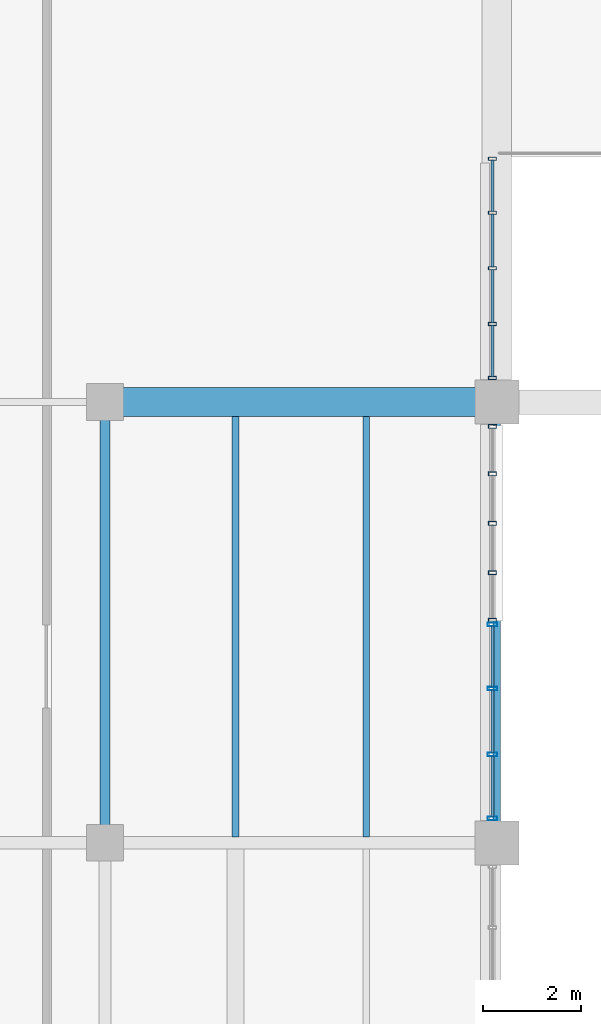
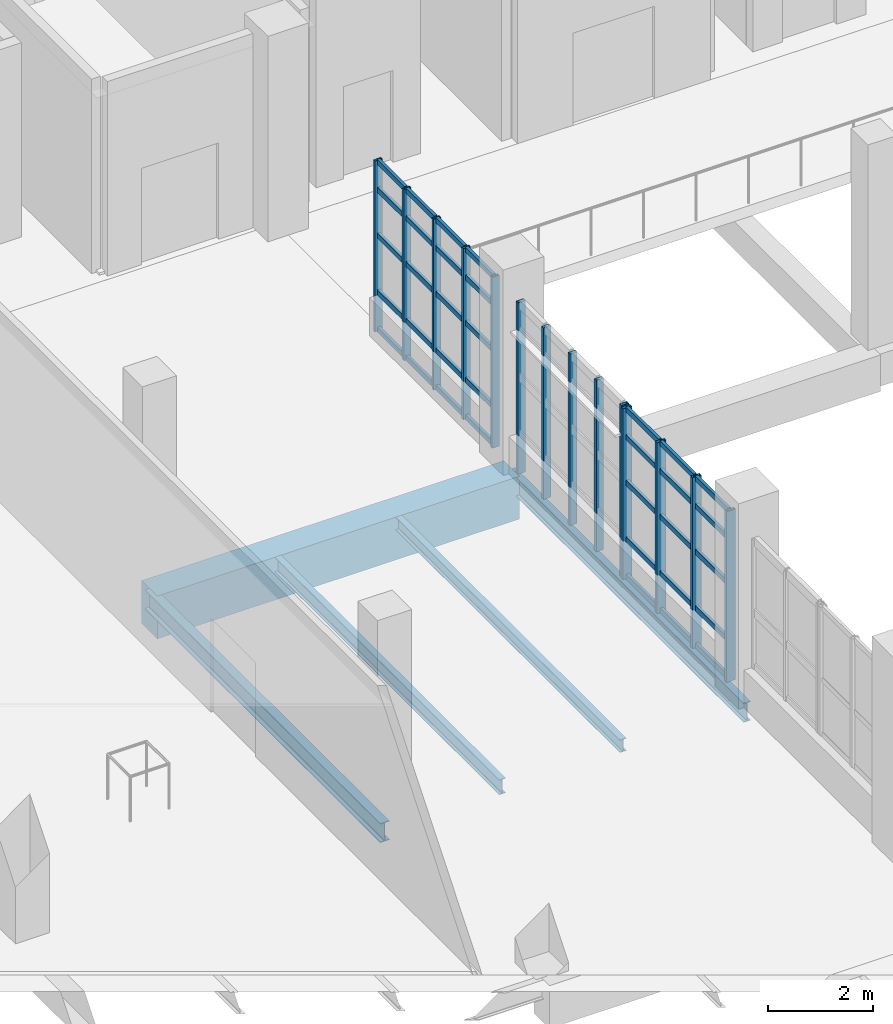
# One storey, part 25 of 102: 49 members, 5 beams, 3 elements without a shape of their own.
"""IFC4 building model written with IfcOpenShell, lengths in metres."""

from ifc_helpers import new_model, si_unit, derived_unit, direction, frame, origin, origin_2d, place, context, subcontext, project, spatial, rectangle, hollow_rectangle, i_section, extrude, material, layer, layer_set, material_profile, profile_set, type_object, element, aggregate, save


model = new_model("IFC4")

# Units and contexts
model_context = context("Model", 3, precision=1e-05, world=origin(), true_north=direction((0.0, 1.0)))
body_context = subcontext(model_context, "Body", "Model", "MODEL_VIEW")
ifc_project = project(units=[si_unit("LENGTHUNIT", "METRE"), si_unit("AREAUNIT", "SQUARE_METRE"), si_unit("VOLUMEUNIT", "CUBIC_METRE"), si_unit("PLANEANGLEUNIT", "RADIAN"), si_unit("MASSUNIT", "GRAM", prefix="KILO"), derived_unit("THERMALTRANSMITTANCEUNIT", [(si_unit("POWERUNIT", "WATT"), 1), (si_unit("LENGTHUNIT", "METRE"), -2), (si_unit("THERMODYNAMICTEMPERATUREUNIT", "KELVIN"), -1)])], contexts=[model_context])

# Site, building, storey
site_placement = place(None, origin())
site = spatial("IfcSite", under=ifc_project, at=site_placement, CompositionType="ELEMENT")
building_placement = place(site_placement, origin())
building = spatial("IfcBuilding", under=site, at=building_placement, Name="Nallur Shell Playhouse", CompositionType="ELEMENT")
storey_placement = place(building_placement, frame((0.0, 0.0, 15.0)))
storey = spatial("IfcBuildingStorey", under=building, at=storey_placement, Name="L04", CompositionType="ELEMENT", Elevation=15.0)

# Beams
ifc_material_1 = material(Name="Steel E250", Category="steel")
ifc_material_profile_1 = material_profile(ifc_material_1, i_section(OverallWidth=0.139892578125, OverallDepth=0.300048828125, WebThickness=0.0078125, FlangeThickness=0.01318359375, FilletRadius=0.013916015625, at=origin_2d()), Name="ISMB 300")
ifc_profile_set_1 = profile_set([ifc_material_profile_1], Name="Steel E250")
beam_type_1 = type_object("IfcBeamType", Name="BM-JST-ISMB300", PredefinedType="JOIST", material=ifc_profile_set_1)
beam_1_placement = place(storey_placement, frame((37.333251953125, 56.123046875, -0.409912109375), z_axis=(0.0, 1.0, 0.0), x_axis=(-1.0, 0.0, 0.0)))
element("IfcBeam", 1, at=beam_1_placement, inside=storey, type_object=beam_type_1, Name="L04 secondary joist 4-G-897", PredefinedType="JOIST", context=body_context, shape_type="SweptSolid", body=[
    extrude(i_section(OverallWidth=0.139892578125, OverallDepth=0.300048828125, WebThickness=0.0078125, FlangeThickness=0.01318359375, FilletRadius=0.013916015625, at=origin_2d()), origin(), (0.0, 0.0, 1.0), 8.578857421875),
])
ifc_material_profile_2 = material_profile(ifc_material_1, i_section(OverallWidth=0.139892578125, OverallDepth=0.35009765625, WebThickness=0.008056640625, FlangeThickness=0.01416015625, FilletRadius=0.013916015625, at=origin_2d()), Name="ISMB 350")
ifc_profile_set_2 = profile_set([ifc_material_profile_2], Name="Steel E250")
beam_type_2 = type_object("IfcBeamType", Name="BM-JST-ISMB350", PredefinedType="JOIST", material=ifc_profile_set_2)
beam_2_placement = place(storey_placement, frame((34.666748046875, 56.123046875, -0.43505859375), z_axis=(0.0, 1.0, 0.0), x_axis=(-1.0, 0.0, 0.0)))
element("IfcBeam", 2, at=beam_2_placement, inside=storey, type_object=beam_type_2, Name="L04 secondary joist 4-G-896", PredefinedType="JOIST", context=body_context, shape_type="SweptSolid", body=[
    extrude(i_section(OverallWidth=0.139892578125, OverallDepth=0.35009765625, WebThickness=0.008056640625, FlangeThickness=0.01416015625, FilletRadius=0.013916015625, at=origin_2d()), origin(), (0.0, 0.0, 1.0), 8.578857421875),
])
ifc_material_2 = material(Name="Concrete M40", Category="concrete")
ifc_material_profile_3 = material_profile(ifc_material_2, rectangle(XDim=0.60009765625, YDim=1.0, at=origin_2d()), Name="RC 600x1000")
ifc_profile_set_3 = profile_set([ifc_material_profile_3], Name="Concrete M40")
beam_type_3 = type_object("IfcBeamType", Name="BM-RC-600x1000", PredefinedType="BEAM", material=ifc_profile_set_3)
beam_3_placement = place(storey_placement, frame((32.0, 65.0, -0.760009765625), z_axis=(1.0, 0.0, 0.0), x_axis=(0.0, 1.0, 0.0)))
element("IfcBeam", 3, at=beam_3_placement, inside=storey, type_object=beam_type_3, Name="L04 girder X-H-796", PredefinedType="BEAM", context=body_context, shape_type="SweptSolid", body=[
    extrude(rectangle(XDim=0.60009765625, YDim=1.0, at=origin_2d()), origin(), (0.0, 0.0, 1.0), 8.0),
])
ifc_material_3 = material(Name="Steel E350", Category="steel")
ifc_material_profile_4 = material_profile(ifc_material_3, i_section(OverallWidth=0.14990234375, OverallDepth=0.449951171875, WebThickness=0.009521484375, FlangeThickness=0.017333984375, FilletRadius=0.014892578125, at=origin_2d()), Name="ISMB 450")
ifc_profile_set_4 = profile_set([ifc_material_profile_4], Name="Steel E350")
beam_type_4 = type_object("IfcBeamType", Name="BM-ST-ISMB450", PredefinedType="BEAM", material=ifc_profile_set_4)
beam_4_placement = place(storey_placement, frame((40.0, 56.0, -0.485107421875), z_axis=(0.0, 1.0, 0.0), x_axis=(-1.0, 0.0, 0.0)))
element("IfcBeam", 4, at=beam_4_placement, inside=storey, type_object=beam_type_4, Name="L04 girder Y-5-827", PredefinedType="BEAM", context=body_context, shape_type="SweptSolid", body=[
    extrude(i_section(OverallWidth=0.14990234375, OverallDepth=0.449951171875, WebThickness=0.009521484375, FlangeThickness=0.017333984375, FilletRadius=0.014892578125, at=origin_2d()), origin(), (0.0, 0.0, 1.0), 9.0),
])
ifc_material_profile_5 = material_profile(ifc_material_3, i_section(OverallWidth=0.199951171875, OverallDepth=0.449951171875, WebThickness=0.00927734375, FlangeThickness=0.015380859375, FilletRadius=0.013916015625, at=origin_2d()), Name="ISWB 450")
ifc_profile_set_5 = profile_set([ifc_material_profile_5], Name="Steel E350")
beam_type_5 = type_object("IfcBeamType", Name="BM-ST-ISWB450", PredefinedType="BEAM", material=ifc_profile_set_5)
beam_5_placement = place(storey_placement, frame((32.0, 56.0, -0.485107421875), z_axis=(0.0, 1.0, 0.0), x_axis=(-1.0, 0.0, 0.0)))
element("IfcBeam", 5, at=beam_5_placement, inside=storey, type_object=beam_type_5, Name="L04 girder Y-4-820", PredefinedType="BEAM", context=body_context, shape_type="SweptSolid", body=[
    extrude(i_section(OverallWidth=0.199951171875, OverallDepth=0.449951171875, WebThickness=0.00927734375, FlangeThickness=0.015380859375, FilletRadius=0.013916015625, at=origin_2d()), origin(), (0.0, 0.0, 1.0), 9.0),
])

# Curtain wall, members
ifc_material_4 = material(Name="Anodised Aluminium Double-Glazed Facade System", Category="aluminium")
ifc_layer_1 = layer(ifc_material_4, 0.159912109375)
ifc_layer_set_1 = layer_set([ifc_layer_1], Name="Anodised Aluminium Double-Glazed Facade System")
curtain_wall_type_1 = type_object("IfcCurtainWallType", Name="CW-UNIT-12", PredefinedType="NOTDEFINED", material=ifc_layer_set_1)
curtain_wall_1_placement = place(storey_placement, origin())
curtain_wall_1 = element("IfcCurtainWall", 6, at=curtain_wall_1_placement, inside=storey, type_object=curtain_wall_type_1, Name="Unitised curtain wall CW-140 (L04)", PredefinedType="NOTDEFINED")
ifc_material_5 = material(Name="Aluminium Alloy 6063-T6 Mullion", Category="aluminium")
ifc_material_profile_6 = material_profile(ifc_material_5, hollow_rectangle(XDim=0.080078125, YDim=0.159912109375, WallThickness=0.006103515625, at=origin_2d()), Name="RHS 160x80x6")
ifc_profile_set_6 = profile_set([ifc_material_profile_6], Name="Aluminium Alloy 6063-T6 Mullion")
member_type_1 = type_object("IfcMemberType", Name="MB-CW-MUL150", PredefinedType="MULLION", material=ifc_profile_set_6)
member_1_placement = place(storey_placement, frame((39.909912109375, 64.501953125, -0.014892578125), z_axis=(0.0, 0.0, 1.0), x_axis=(0.0, -1.0, 0.0)))
member_1 = element("IfcMember", 7, at=member_1_placement, type_object=member_type_1, Name="CW-12 mullion 1", PredefinedType="MULLION", context=body_context, shape_type="SweptSolid", body=[
    extrude(hollow_rectangle(XDim=0.080078125, YDim=0.159912109375, WallThickness=0.006103515625, at=origin_2d()), origin(), (0.0, 0.0, 1.0), 4.00390625),
])
member_2_placement = place(storey_placement, frame((39.909912109375, 63.53271484375, -0.014892578125), z_axis=(0.0, 0.0, 1.0), x_axis=(0.0, -1.0, 0.0)))
member_2 = element("IfcMember", 8, at=member_2_placement, type_object=member_type_1, Name="CW-12 mullion 2", PredefinedType="MULLION", context=body_context, shape_type="SweptSolid", body=[
    extrude(hollow_rectangle(XDim=0.080078125, YDim=0.159912109375, WallThickness=0.006103515625, at=origin_2d()), origin(), (0.0, 0.0, 1.0), 4.00390625),
])
member_3_placement = place(storey_placement, frame((39.909912109375, 62.5234375, -0.014892578125), z_axis=(0.0, 0.0, 1.0), x_axis=(0.0, -1.0, 0.0)))
member_3 = element("IfcMember", 9, at=member_3_placement, type_object=member_type_1, Name="CW-12 mullion 3", PredefinedType="MULLION", context=body_context, shape_type="SweptSolid", body=[
    extrude(hollow_rectangle(XDim=0.080078125, YDim=0.159912109375, WallThickness=0.006103515625, at=origin_2d()), origin(), (0.0, 0.0, 1.0), 4.00390625),
])
member_4_placement = place(storey_placement, frame((39.909912109375, 61.51416015625, -0.014892578125), z_axis=(0.0, 0.0, 1.0), x_axis=(0.0, -1.0, 0.0)))
member_4 = element("IfcMember", 10, at=member_4_placement, type_object=member_type_1, Name="CW-12 mullion 4", PredefinedType="MULLION", context=body_context, shape_type="SweptSolid", body=[
    extrude(hollow_rectangle(XDim=0.080078125, YDim=0.159912109375, WallThickness=0.006103515625, at=origin_2d()), origin(), (0.0, 0.0, 1.0), 4.00390625),
])
member_5_placement = place(storey_placement, frame((39.909912109375, 60.544921875, -0.014892578125), z_axis=(0.0, 0.0, 1.0), x_axis=(0.0, -1.0, 0.0)))
member_5 = element("IfcMember", 11, at=member_5_placement, type_object=member_type_1, Name="CW-12 mullion 5", PredefinedType="MULLION", context=body_context, shape_type="SweptSolid", body=[
    extrude(hollow_rectangle(XDim=0.080078125, YDim=0.159912109375, WallThickness=0.006103515625, at=origin_2d()), origin(), (0.0, 0.0, 1.0), 4.00390625),
])
aggregate(curtain_wall_1, [member_1, member_2, member_3, member_4, member_5])

ifc_layer_2 = layer(ifc_material_4, 0.179931640625)
ifc_layer_set_2 = layer_set([ifc_layer_2], Name="Anodised Aluminium Double-Glazed Facade System")
curtain_wall_type_2 = type_object("IfcCurtainWallType", Name="CW-UNIT-11", PredefinedType="NOTDEFINED", material=ifc_layer_set_2)
curtain_wall_2_placement = place(storey_placement, origin())
curtain_wall_2 = element("IfcCurtainWall", 12, at=curtain_wall_2_placement, inside=storey, type_object=curtain_wall_type_2, Name="Unitised curtain wall CW-139 (L04)", PredefinedType="NOTDEFINED")
ifc_material_profile_7 = material_profile(ifc_material_5, hollow_rectangle(XDim=0.06494140625, YDim=0.159912109375, WallThickness=0.00390625, at=origin_2d()), Name="ALU 65x160x4")
ifc_profile_set_7 = profile_set([ifc_material_profile_7], Name="Aluminium Alloy 6063-T6 Mullion")
member_type_2 = type_object("IfcMemberType", Name="MB-CW-MUL160", PredefinedType="MULLION", material=ifc_profile_set_7)
member_6_placement = place(storey_placement, frame((39.909912109375, 69.967529296875, -0.014892578125), z_axis=(0.0, 0.0, 1.0), x_axis=(0.0, -1.0, 0.0)))
member_6 = element("IfcMember", 13, at=member_6_placement, type_object=member_type_2, Name="CW-11 mullion 1", PredefinedType="MULLION", context=body_context, shape_type="SweptSolid", body=[
    extrude(hollow_rectangle(XDim=0.06494140625, YDim=0.159912109375, WallThickness=0.00390625, at=origin_2d()), origin(), (0.0, 0.0, 1.0), 3.993896484375),
])
member_7_placement = place(storey_placement, frame((39.909912109375, 68.864501953125, -0.014892578125), z_axis=(0.0, 0.0, 1.0), x_axis=(0.0, -1.0, 0.0)))
member_7 = element("IfcMember", 14, at=member_7_placement, type_object=member_type_2, Name="CW-11 mullion 2", PredefinedType="MULLION", context=body_context, shape_type="SweptSolid", body=[
    extrude(hollow_rectangle(XDim=0.06494140625, YDim=0.159912109375, WallThickness=0.00390625, at=origin_2d()), origin(), (0.0, 0.0, 1.0), 3.993896484375),
])
member_8_placement = place(storey_placement, frame((39.909912109375, 67.72900390625, -0.014892578125), z_axis=(0.0, 0.0, 1.0), x_axis=(0.0, -1.0, 0.0)))
member_8 = element("IfcMember", 15, at=member_8_placement, type_object=member_type_2, Name="CW-11 mullion 3", PredefinedType="MULLION", context=body_context, shape_type="SweptSolid", body=[
    extrude(hollow_rectangle(XDim=0.06494140625, YDim=0.159912109375, WallThickness=0.00390625, at=origin_2d()), origin(), (0.0, 0.0, 1.0), 3.993896484375),
])
member_9_placement = place(storey_placement, frame((39.909912109375, 66.593505859375, -0.014892578125), z_axis=(0.0, 0.0, 1.0), x_axis=(0.0, -1.0, 0.0)))
member_9 = element("IfcMember", 16, at=member_9_placement, type_object=member_type_2, Name="CW-11 mullion 4", PredefinedType="MULLION", context=body_context, shape_type="SweptSolid", body=[
    extrude(hollow_rectangle(XDim=0.06494140625, YDim=0.159912109375, WallThickness=0.00390625, at=origin_2d()), origin(), (0.0, 0.0, 1.0), 3.993896484375),
])
member_10_placement = place(storey_placement, frame((39.909912109375, 65.490478515625, -0.014892578125), z_axis=(0.0, 0.0, 1.0), x_axis=(0.0, -1.0, 0.0)))
member_10 = element("IfcMember", 17, at=member_10_placement, type_object=member_type_2, Name="CW-11 mullion 5", PredefinedType="MULLION", context=body_context, shape_type="SweptSolid", body=[
    extrude(hollow_rectangle(XDim=0.06494140625, YDim=0.159912109375, WallThickness=0.00390625, at=origin_2d()), origin(), (0.0, 0.0, 1.0), 3.993896484375),
])

ifc_layer_3 = layer(ifc_material_4, 0.1640625)
ifc_layer_set_3 = layer_set([ifc_layer_3], Name="Anodised Aluminium Double-Glazed Facade System")
curtain_wall_type_3 = type_object("IfcCurtainWallType", Name="CW-UNIT-13", PredefinedType="NOTDEFINED", material=ifc_layer_set_3)
curtain_wall_3_placement = place(storey_placement, origin())
curtain_wall_3 = element("IfcCurtainWall", 18, at=curtain_wall_3_placement, inside=storey, type_object=curtain_wall_type_3, Name="Unitised curtain wall CW-141 (L04)", PredefinedType="NOTDEFINED")
ifc_material_profile_8 = material_profile(ifc_material_5, hollow_rectangle(XDim=0.074951171875, YDim=0.199951171875, WallThickness=0.0048828125, at=origin_2d()), Name="ALU 75x200x5")
ifc_profile_set_8 = profile_set([ifc_material_profile_8], Name="Aluminium Alloy 6063-T6 Mullion")
member_type_3 = type_object("IfcMemberType", Name="MB-CW-MUL180", PredefinedType="MULLION", material=ifc_profile_set_8)
member_11_placement = place(storey_placement, frame((39.909912109375, 60.45751953125, -0.014892578125), z_axis=(0.0, 0.0, 1.0), x_axis=(0.0, -1.0, 0.0)))
member_11 = element("IfcMember", 19, at=member_11_placement, type_object=member_type_3, Name="CW-13 mullion 1", PredefinedType="MULLION", context=body_context, shape_type="SweptSolid", body=[
    extrude(hollow_rectangle(XDim=0.074951171875, YDim=0.199951171875, WallThickness=0.0048828125, at=origin_2d()), origin(), (0.0, 0.0, 1.0), 3.98388671875),
])
member_12_placement = place(storey_placement, frame((39.909912109375, 59.1494140625, -0.014892578125), z_axis=(0.0, 0.0, 1.0), x_axis=(0.0, -1.0, 0.0)))
member_12 = element("IfcMember", 20, at=member_12_placement, type_object=member_type_3, Name="CW-13 mullion 2", PredefinedType="MULLION", context=body_context, shape_type="SweptSolid", body=[
    extrude(hollow_rectangle(XDim=0.074951171875, YDim=0.199951171875, WallThickness=0.0048828125, at=origin_2d()), origin(), (0.0, 0.0, 1.0), 3.98388671875),
])
member_13_placement = place(storey_placement, frame((39.909912109375, 57.8037109375, -0.014892578125), z_axis=(0.0, 0.0, 1.0), x_axis=(0.0, -1.0, 0.0)))
member_13 = element("IfcMember", 21, at=member_13_placement, type_object=member_type_3, Name="CW-13 mullion 3", PredefinedType="MULLION", context=body_context, shape_type="SweptSolid", body=[
    extrude(hollow_rectangle(XDim=0.074951171875, YDim=0.199951171875, WallThickness=0.0048828125, at=origin_2d()), origin(), (0.0, 0.0, 1.0), 3.98388671875),
])
member_14_placement = place(storey_placement, frame((39.909912109375, 56.49560546875, -0.014892578125), z_axis=(0.0, 0.0, 1.0), x_axis=(0.0, -1.0, 0.0)))
member_14 = element("IfcMember", 22, at=member_14_placement, type_object=member_type_3, Name="CW-13 mullion 4", PredefinedType="MULLION", context=body_context, shape_type="SweptSolid", body=[
    extrude(hollow_rectangle(XDim=0.074951171875, YDim=0.199951171875, WallThickness=0.0048828125, at=origin_2d()), origin(), (0.0, 0.0, 1.0), 3.98388671875),
])

# Member
ifc_material_6 = material(Name="Aluminium Alloy 6063-T6 Transom", Category="aluminium")
ifc_material_profile_9 = material_profile(ifc_material_6, hollow_rectangle(XDim=0.06494140625, YDim=0.1201171875, WallThickness=0.00390625, at=origin_2d()), Name="ALU 65x120x4")
ifc_profile_set_9 = profile_set([ifc_material_profile_9], Name="Aluminium Alloy 6063-T6 Transom")
member_type_4 = type_object("IfcMemberType", Name="MB-CW-TRN120", PredefinedType="USERDEFINED", material=ifc_profile_set_9)
member_15_placement = place(storey_placement, frame((39.909912109375, 69.943115234375, 0.032470703125), z_axis=(0.0, -1.0, 0.0), x_axis=(1.0, 0.0, 0.0)))
member_15 = element("IfcMember", 23, at=member_15_placement, type_object=member_type_4, Name="CW-11 transom 1.1", ObjectType="TRANSOM", PredefinedType="USERDEFINED", context=body_context, shape_type="SweptSolid", body=[
    extrude(hollow_rectangle(XDim=0.06494140625, YDim=0.1201171875, WallThickness=0.00390625, at=origin_2d()), origin(), (0.0, 0.0, 1.0), 1.05419921875),
])

member_16_placement = place(storey_placement, frame((39.909912109375, 69.943115234375, 0.89990234375), z_axis=(0.0, -1.0, 0.0), x_axis=(1.0, 0.0, 0.0)))
member_16 = element("IfcMember", 24, at=member_16_placement, type_object=member_type_4, Name="CW-11 transom 1.2", ObjectType="TRANSOM", PredefinedType="USERDEFINED", context=body_context, shape_type="SweptSolid", body=[
    extrude(hollow_rectangle(XDim=0.06494140625, YDim=0.1201171875, WallThickness=0.00390625, at=origin_2d()), origin(), (0.0, 0.0, 1.0), 1.05419921875),
])

member_17_placement = place(storey_placement, frame((39.909912109375, 69.943115234375, 2.22607421875), z_axis=(0.0, -1.0, 0.0), x_axis=(1.0, 0.0, 0.0)))
member_17 = element("IfcMember", 25, at=member_17_placement, type_object=member_type_4, Name="CW-11 transom 1.3", ObjectType="TRANSOM", PredefinedType="USERDEFINED", context=body_context, shape_type="SweptSolid", body=[
    extrude(hollow_rectangle(XDim=0.06494140625, YDim=0.1201171875, WallThickness=0.00390625, at=origin_2d()), origin(), (0.0, 0.0, 1.0), 1.05419921875),
])

member_18_placement = place(storey_placement, frame((39.909912109375, 69.943115234375, 3.294921875), z_axis=(0.0, -1.0, 0.0), x_axis=(1.0, 0.0, 0.0)))
member_18 = element("IfcMember", 26, at=member_18_placement, type_object=member_type_4, Name="CW-11 transom 1.4", ObjectType="TRANSOM", PredefinedType="USERDEFINED", context=body_context, shape_type="SweptSolid", body=[
    extrude(hollow_rectangle(XDim=0.06494140625, YDim=0.1201171875, WallThickness=0.00390625, at=origin_2d()), origin(), (0.0, 0.0, 1.0), 1.05419921875),
])

member_19_placement = place(storey_placement, frame((39.909912109375, 69.943115234375, 3.9423828125), z_axis=(0.0, -1.0, 0.0), x_axis=(1.0, 0.0, 0.0)))
member_19 = element("IfcMember", 27, at=member_19_placement, type_object=member_type_4, Name="CW-11 transom 1.5", ObjectType="TRANSOM", PredefinedType="USERDEFINED", context=body_context, shape_type="SweptSolid", body=[
    extrude(hollow_rectangle(XDim=0.06494140625, YDim=0.1201171875, WallThickness=0.00390625, at=origin_2d()), origin(), (0.0, 0.0, 1.0), 1.05419921875),
])

member_20_placement = place(storey_placement, frame((39.909912109375, 68.840087890625, 0.032470703125), z_axis=(0.0, -1.0, 0.0), x_axis=(1.0, 0.0, 0.0)))
member_20 = element("IfcMember", 28, at=member_20_placement, type_object=member_type_4, Name="CW-11 transom 2.1", ObjectType="TRANSOM", PredefinedType="USERDEFINED", context=body_context, shape_type="SweptSolid", body=[
    extrude(hollow_rectangle(XDim=0.06494140625, YDim=0.1201171875, WallThickness=0.00390625, at=origin_2d()), origin(), (0.0, 0.0, 1.0), 1.086669921875),
])

member_21_placement = place(storey_placement, frame((39.909912109375, 68.840087890625, 0.89990234375), z_axis=(0.0, -1.0, 0.0), x_axis=(1.0, 0.0, 0.0)))
member_21 = element("IfcMember", 29, at=member_21_placement, type_object=member_type_4, Name="CW-11 transom 2.2", ObjectType="TRANSOM", PredefinedType="USERDEFINED", context=body_context, shape_type="SweptSolid", body=[
    extrude(hollow_rectangle(XDim=0.06494140625, YDim=0.1201171875, WallThickness=0.00390625, at=origin_2d()), origin(), (0.0, 0.0, 1.0), 1.086669921875),
])

member_22_placement = place(storey_placement, frame((39.909912109375, 68.840087890625, 2.22607421875), z_axis=(0.0, -1.0, 0.0), x_axis=(1.0, 0.0, 0.0)))
member_22 = element("IfcMember", 30, at=member_22_placement, type_object=member_type_4, Name="CW-11 transom 2.3", ObjectType="TRANSOM", PredefinedType="USERDEFINED", context=body_context, shape_type="SweptSolid", body=[
    extrude(hollow_rectangle(XDim=0.06494140625, YDim=0.1201171875, WallThickness=0.00390625, at=origin_2d()), origin(), (0.0, 0.0, 1.0), 1.086669921875),
])

member_23_placement = place(storey_placement, frame((39.909912109375, 68.840087890625, 3.294921875), z_axis=(0.0, -1.0, 0.0), x_axis=(1.0, 0.0, 0.0)))
member_23 = element("IfcMember", 31, at=member_23_placement, type_object=member_type_4, Name="CW-11 transom 2.4", ObjectType="TRANSOM", PredefinedType="USERDEFINED", context=body_context, shape_type="SweptSolid", body=[
    extrude(hollow_rectangle(XDim=0.06494140625, YDim=0.1201171875, WallThickness=0.00390625, at=origin_2d()), origin(), (0.0, 0.0, 1.0), 1.086669921875),
])

member_24_placement = place(storey_placement, frame((39.909912109375, 68.840087890625, 3.9423828125), z_axis=(0.0, -1.0, 0.0), x_axis=(1.0, 0.0, 0.0)))
member_24 = element("IfcMember", 32, at=member_24_placement, type_object=member_type_4, Name="CW-11 transom 2.5", ObjectType="TRANSOM", PredefinedType="USERDEFINED", context=body_context, shape_type="SweptSolid", body=[
    extrude(hollow_rectangle(XDim=0.06494140625, YDim=0.1201171875, WallThickness=0.00390625, at=origin_2d()), origin(), (0.0, 0.0, 1.0), 1.086669921875),
])

member_25_placement = place(storey_placement, frame((39.909912109375, 67.70458984375, 0.032470703125), z_axis=(0.0, -1.0, 0.0), x_axis=(1.0, 0.0, 0.0)))
member_25 = element("IfcMember", 33, at=member_25_placement, type_object=member_type_4, Name="CW-11 transom 3.1", ObjectType="TRANSOM", PredefinedType="USERDEFINED", context=body_context, shape_type="SweptSolid", body=[
    extrude(hollow_rectangle(XDim=0.06494140625, YDim=0.1201171875, WallThickness=0.00390625, at=origin_2d()), origin(), (0.0, 0.0, 1.0), 1.086669921875),
])

member_26_placement = place(storey_placement, frame((39.909912109375, 67.70458984375, 0.89990234375), z_axis=(0.0, -1.0, 0.0), x_axis=(1.0, 0.0, 0.0)))
member_26 = element("IfcMember", 34, at=member_26_placement, type_object=member_type_4, Name="CW-11 transom 3.2", ObjectType="TRANSOM", PredefinedType="USERDEFINED", context=body_context, shape_type="SweptSolid", body=[
    extrude(hollow_rectangle(XDim=0.06494140625, YDim=0.1201171875, WallThickness=0.00390625, at=origin_2d()), origin(), (0.0, 0.0, 1.0), 1.086669921875),
])

member_27_placement = place(storey_placement, frame((39.909912109375, 67.70458984375, 2.22607421875), z_axis=(0.0, -1.0, 0.0), x_axis=(1.0, 0.0, 0.0)))
member_27 = element("IfcMember", 35, at=member_27_placement, type_object=member_type_4, Name="CW-11 transom 3.3", ObjectType="TRANSOM", PredefinedType="USERDEFINED", context=body_context, shape_type="SweptSolid", body=[
    extrude(hollow_rectangle(XDim=0.06494140625, YDim=0.1201171875, WallThickness=0.00390625, at=origin_2d()), origin(), (0.0, 0.0, 1.0), 1.086669921875),
])

member_28_placement = place(storey_placement, frame((39.909912109375, 67.70458984375, 3.294921875), z_axis=(0.0, -1.0, 0.0), x_axis=(1.0, 0.0, 0.0)))
member_28 = element("IfcMember", 36, at=member_28_placement, type_object=member_type_4, Name="CW-11 transom 3.4", ObjectType="TRANSOM", PredefinedType="USERDEFINED", context=body_context, shape_type="SweptSolid", body=[
    extrude(hollow_rectangle(XDim=0.06494140625, YDim=0.1201171875, WallThickness=0.00390625, at=origin_2d()), origin(), (0.0, 0.0, 1.0), 1.086669921875),
])

member_29_placement = place(storey_placement, frame((39.909912109375, 67.70458984375, 3.9423828125), z_axis=(0.0, -1.0, 0.0), x_axis=(1.0, 0.0, 0.0)))
member_29 = element("IfcMember", 37, at=member_29_placement, type_object=member_type_4, Name="CW-11 transom 3.5", ObjectType="TRANSOM", PredefinedType="USERDEFINED", context=body_context, shape_type="SweptSolid", body=[
    extrude(hollow_rectangle(XDim=0.06494140625, YDim=0.1201171875, WallThickness=0.00390625, at=origin_2d()), origin(), (0.0, 0.0, 1.0), 1.086669921875),
])

member_30_placement = place(storey_placement, frame((39.909912109375, 66.569091796875, 0.032470703125), z_axis=(0.0, -1.0, 0.0), x_axis=(1.0, 0.0, 0.0)))
member_30 = element("IfcMember", 38, at=member_30_placement, type_object=member_type_4, Name="CW-11 transom 4.1", ObjectType="TRANSOM", PredefinedType="USERDEFINED", context=body_context, shape_type="SweptSolid", body=[
    extrude(hollow_rectangle(XDim=0.06494140625, YDim=0.1201171875, WallThickness=0.00390625, at=origin_2d()), origin(), (0.0, 0.0, 1.0), 1.05419921875),
])

member_31_placement = place(storey_placement, frame((39.909912109375, 66.569091796875, 0.89990234375), z_axis=(0.0, -1.0, 0.0), x_axis=(1.0, 0.0, 0.0)))
member_31 = element("IfcMember", 39, at=member_31_placement, type_object=member_type_4, Name="CW-11 transom 4.2", ObjectType="TRANSOM", PredefinedType="USERDEFINED", context=body_context, shape_type="SweptSolid", body=[
    extrude(hollow_rectangle(XDim=0.06494140625, YDim=0.1201171875, WallThickness=0.00390625, at=origin_2d()), origin(), (0.0, 0.0, 1.0), 1.05419921875),
])

member_32_placement = place(storey_placement, frame((39.909912109375, 66.569091796875, 2.22607421875), z_axis=(0.0, -1.0, 0.0), x_axis=(1.0, 0.0, 0.0)))
member_32 = element("IfcMember", 40, at=member_32_placement, type_object=member_type_4, Name="CW-11 transom 4.3", ObjectType="TRANSOM", PredefinedType="USERDEFINED", context=body_context, shape_type="SweptSolid", body=[
    extrude(hollow_rectangle(XDim=0.06494140625, YDim=0.1201171875, WallThickness=0.00390625, at=origin_2d()), origin(), (0.0, 0.0, 1.0), 1.05419921875),
])

member_33_placement = place(storey_placement, frame((39.909912109375, 66.569091796875, 3.294921875), z_axis=(0.0, -1.0, 0.0), x_axis=(1.0, 0.0, 0.0)))
member_33 = element("IfcMember", 41, at=member_33_placement, type_object=member_type_4, Name="CW-11 transom 4.4", ObjectType="TRANSOM", PredefinedType="USERDEFINED", context=body_context, shape_type="SweptSolid", body=[
    extrude(hollow_rectangle(XDim=0.06494140625, YDim=0.1201171875, WallThickness=0.00390625, at=origin_2d()), origin(), (0.0, 0.0, 1.0), 1.05419921875),
])

member_34_placement = place(storey_placement, frame((39.909912109375, 66.569091796875, 3.9423828125), z_axis=(0.0, -1.0, 0.0), x_axis=(1.0, 0.0, 0.0)))
member_34 = element("IfcMember", 42, at=member_34_placement, type_object=member_type_4, Name="CW-11 transom 4.5", ObjectType="TRANSOM", PredefinedType="USERDEFINED", context=body_context, shape_type="SweptSolid", body=[
    extrude(hollow_rectangle(XDim=0.06494140625, YDim=0.1201171875, WallThickness=0.00390625, at=origin_2d()), origin(), (0.0, 0.0, 1.0), 1.05419921875),
])

aggregate(curtain_wall_2, [member_6, member_7, member_8, member_9, member_10, member_15, member_16, member_17, member_18, member_19, member_20, member_21, member_22, member_23, member_24, member_25, member_26, member_27, member_28, member_29, member_30, member_31, member_32, member_33, member_34])

member_35_placement = place(storey_placement, frame((39.909912109375, 60.427978515625, 0.032470703125), z_axis=(0.0, -1.0, 0.0), x_axis=(1.0, 0.0, 0.0)))
member_35 = element("IfcMember", 43, at=member_35_placement, type_object=member_type_4, Name="CW-13 transom 1.1", ObjectType="TRANSOM", PredefinedType="USERDEFINED", context=body_context, shape_type="SweptSolid", body=[
    extrude(hollow_rectangle(XDim=0.06494140625, YDim=0.1201171875, WallThickness=0.00390625, at=origin_2d()), origin(), (0.0, 0.0, 1.0), 1.2490234375),
])

member_36_placement = place(storey_placement, frame((39.909912109375, 60.427978515625, 0.89990234375), z_axis=(0.0, -1.0, 0.0), x_axis=(1.0, 0.0, 0.0)))
member_36 = element("IfcMember", 44, at=member_36_placement, type_object=member_type_4, Name="CW-13 transom 1.2", ObjectType="TRANSOM", PredefinedType="USERDEFINED", context=body_context, shape_type="SweptSolid", body=[
    extrude(hollow_rectangle(XDim=0.06494140625, YDim=0.1201171875, WallThickness=0.00390625, at=origin_2d()), origin(), (0.0, 0.0, 1.0), 1.2490234375),
])

member_37_placement = place(storey_placement, frame((39.909912109375, 60.427978515625, 2.219970703125), z_axis=(0.0, -1.0, 0.0), x_axis=(1.0, 0.0, 0.0)))
member_37 = element("IfcMember", 45, at=member_37_placement, type_object=member_type_4, Name="CW-13 transom 1.3", ObjectType="TRANSOM", PredefinedType="USERDEFINED", context=body_context, shape_type="SweptSolid", body=[
    extrude(hollow_rectangle(XDim=0.06494140625, YDim=0.1201171875, WallThickness=0.00390625, at=origin_2d()), origin(), (0.0, 0.0, 1.0), 1.2490234375),
])

member_38_placement = place(storey_placement, frame((39.909912109375, 60.427978515625, 3.284912109375), z_axis=(0.0, -1.0, 0.0), x_axis=(1.0, 0.0, 0.0)))
member_38 = element("IfcMember", 46, at=member_38_placement, type_object=member_type_4, Name="CW-13 transom 1.4", ObjectType="TRANSOM", PredefinedType="USERDEFINED", context=body_context, shape_type="SweptSolid", body=[
    extrude(hollow_rectangle(XDim=0.06494140625, YDim=0.1201171875, WallThickness=0.00390625, at=origin_2d()), origin(), (0.0, 0.0, 1.0), 1.2490234375),
])

member_39_placement = place(storey_placement, frame((39.909912109375, 60.427978515625, 3.9326171875), z_axis=(0.0, -1.0, 0.0), x_axis=(1.0, 0.0, 0.0)))
member_39 = element("IfcMember", 47, at=member_39_placement, type_object=member_type_4, Name="CW-13 transom 1.5", ObjectType="TRANSOM", PredefinedType="USERDEFINED", context=body_context, shape_type="SweptSolid", body=[
    extrude(hollow_rectangle(XDim=0.06494140625, YDim=0.1201171875, WallThickness=0.00390625, at=origin_2d()), origin(), (0.0, 0.0, 1.0), 1.2490234375),
])

member_40_placement = place(storey_placement, frame((39.909912109375, 59.119873046875, 0.032470703125), z_axis=(0.0, -1.0, 0.0), x_axis=(1.0, 0.0, 0.0)))
member_40 = element("IfcMember", 48, at=member_40_placement, type_object=member_type_4, Name="CW-13 transom 2.1", ObjectType="TRANSOM", PredefinedType="USERDEFINED", context=body_context, shape_type="SweptSolid", body=[
    extrude(hollow_rectangle(XDim=0.06494140625, YDim=0.1201171875, WallThickness=0.00390625, at=origin_2d()), origin(), (0.0, 0.0, 1.0), 1.28662109375),
])

member_41_placement = place(storey_placement, frame((39.909912109375, 59.119873046875, 0.89990234375), z_axis=(0.0, -1.0, 0.0), x_axis=(1.0, 0.0, 0.0)))
member_41 = element("IfcMember", 49, at=member_41_placement, type_object=member_type_4, Name="CW-13 transom 2.2", ObjectType="TRANSOM", PredefinedType="USERDEFINED", context=body_context, shape_type="SweptSolid", body=[
    extrude(hollow_rectangle(XDim=0.06494140625, YDim=0.1201171875, WallThickness=0.00390625, at=origin_2d()), origin(), (0.0, 0.0, 1.0), 1.28662109375),
])

member_42_placement = place(storey_placement, frame((39.909912109375, 59.119873046875, 2.219970703125), z_axis=(0.0, -1.0, 0.0), x_axis=(1.0, 0.0, 0.0)))
member_42 = element("IfcMember", 50, at=member_42_placement, type_object=member_type_4, Name="CW-13 transom 2.3", ObjectType="TRANSOM", PredefinedType="USERDEFINED", context=body_context, shape_type="SweptSolid", body=[
    extrude(hollow_rectangle(XDim=0.06494140625, YDim=0.1201171875, WallThickness=0.00390625, at=origin_2d()), origin(), (0.0, 0.0, 1.0), 1.28662109375),
])

member_43_placement = place(storey_placement, frame((39.909912109375, 59.119873046875, 3.284912109375), z_axis=(0.0, -1.0, 0.0), x_axis=(1.0, 0.0, 0.0)))
member_43 = element("IfcMember", 51, at=member_43_placement, type_object=member_type_4, Name="CW-13 transom 2.4", ObjectType="TRANSOM", PredefinedType="USERDEFINED", context=body_context, shape_type="SweptSolid", body=[
    extrude(hollow_rectangle(XDim=0.06494140625, YDim=0.1201171875, WallThickness=0.00390625, at=origin_2d()), origin(), (0.0, 0.0, 1.0), 1.28662109375),
])

member_44_placement = place(storey_placement, frame((39.909912109375, 59.119873046875, 3.9326171875), z_axis=(0.0, -1.0, 0.0), x_axis=(1.0, 0.0, 0.0)))
member_44 = element("IfcMember", 52, at=member_44_placement, type_object=member_type_4, Name="CW-13 transom 2.5", ObjectType="TRANSOM", PredefinedType="USERDEFINED", context=body_context, shape_type="SweptSolid", body=[
    extrude(hollow_rectangle(XDim=0.06494140625, YDim=0.1201171875, WallThickness=0.00390625, at=origin_2d()), origin(), (0.0, 0.0, 1.0), 1.28662109375),
])

member_45_placement = place(storey_placement, frame((39.909912109375, 57.774169921875, 0.032470703125), z_axis=(0.0, -1.0, 0.0), x_axis=(1.0, 0.0, 0.0)))
member_45 = element("IfcMember", 53, at=member_45_placement, type_object=member_type_4, Name="CW-13 transom 3.1", ObjectType="TRANSOM", PredefinedType="USERDEFINED", context=body_context, shape_type="SweptSolid", body=[
    extrude(hollow_rectangle(XDim=0.06494140625, YDim=0.1201171875, WallThickness=0.00390625, at=origin_2d()), origin(), (0.0, 0.0, 1.0), 1.249267578125),
])

member_46_placement = place(storey_placement, frame((39.909912109375, 57.774169921875, 0.89990234375), z_axis=(0.0, -1.0, 0.0), x_axis=(1.0, 0.0, 0.0)))
member_46 = element("IfcMember", 54, at=member_46_placement, type_object=member_type_4, Name="CW-13 transom 3.2", ObjectType="TRANSOM", PredefinedType="USERDEFINED", context=body_context, shape_type="SweptSolid", body=[
    extrude(hollow_rectangle(XDim=0.06494140625, YDim=0.1201171875, WallThickness=0.00390625, at=origin_2d()), origin(), (0.0, 0.0, 1.0), 1.249267578125),
])

member_47_placement = place(storey_placement, frame((39.909912109375, 57.774169921875, 2.219970703125), z_axis=(0.0, -1.0, 0.0), x_axis=(1.0, 0.0, 0.0)))
member_47 = element("IfcMember", 55, at=member_47_placement, type_object=member_type_4, Name="CW-13 transom 3.3", ObjectType="TRANSOM", PredefinedType="USERDEFINED", context=body_context, shape_type="SweptSolid", body=[
    extrude(hollow_rectangle(XDim=0.06494140625, YDim=0.1201171875, WallThickness=0.00390625, at=origin_2d()), origin(), (0.0, 0.0, 1.0), 1.249267578125),
])

member_48_placement = place(storey_placement, frame((39.909912109375, 57.774169921875, 3.284912109375), z_axis=(0.0, -1.0, 0.0), x_axis=(1.0, 0.0, 0.0)))
member_48 = element("IfcMember", 56, at=member_48_placement, type_object=member_type_4, Name="CW-13 transom 3.4", ObjectType="TRANSOM", PredefinedType="USERDEFINED", context=body_context, shape_type="SweptSolid", body=[
    extrude(hollow_rectangle(XDim=0.06494140625, YDim=0.1201171875, WallThickness=0.00390625, at=origin_2d()), origin(), (0.0, 0.0, 1.0), 1.249267578125),
])

member_49_placement = place(storey_placement, frame((39.909912109375, 57.774169921875, 3.9326171875), z_axis=(0.0, -1.0, 0.0), x_axis=(1.0, 0.0, 0.0)))
member_49 = element("IfcMember", 57, at=member_49_placement, type_object=member_type_4, Name="CW-13 transom 3.5", ObjectType="TRANSOM", PredefinedType="USERDEFINED", context=body_context, shape_type="SweptSolid", body=[
    extrude(hollow_rectangle(XDim=0.06494140625, YDim=0.1201171875, WallThickness=0.00390625, at=origin_2d()), origin(), (0.0, 0.0, 1.0), 1.249267578125),
])

aggregate(curtain_wall_3, [member_11, member_12, member_13, member_14, member_35, member_36, member_37, member_38, member_39, member_40, member_41, member_42, member_43, member_44, member_45, member_46, member_47, member_48, member_49])

save(model, "model.ifc")
